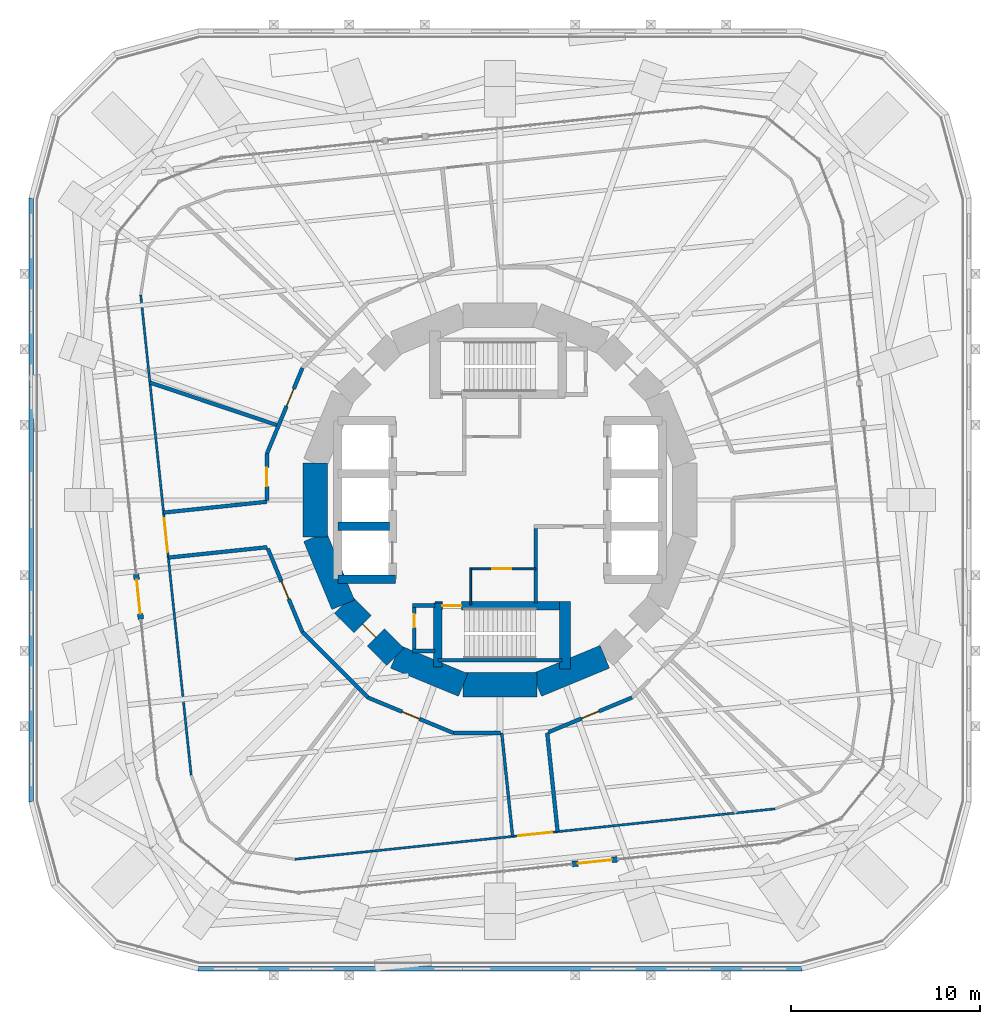
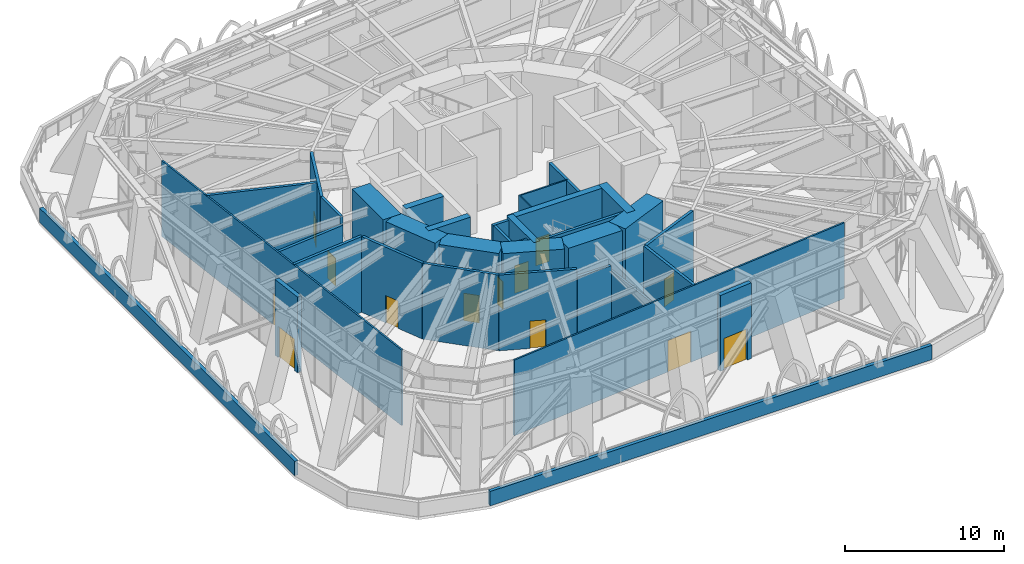
# One storey, part 15 of 20: 36 walls, 13 doors, 13 openings.
"""IFC4 building model written with IfcOpenShell, lengths in metres."""

from ifc_helpers import new_model, si_unit, direction, frame, frame_2d, origin, place, context, subcontext, project, spatial, rectangle, extrude, material, layer, layer_set, type_object, element, fill, save


model = new_model("IFC4")

# Units and contexts
model_context = context("Model", 3, precision=1e-05, world=origin(), true_north=direction((0.0, 1.0)))
body_context = subcontext(model_context, "Body", "Model", "MODEL_VIEW")
ifc_project = project(units=[si_unit("LENGTHUNIT", "METRE"), si_unit("AREAUNIT", "SQUARE_METRE"), si_unit("VOLUMEUNIT", "CUBIC_METRE"), si_unit("PLANEANGLEUNIT", "RADIAN"), si_unit("MASSUNIT", "GRAM", prefix="KILO")], contexts=[model_context])

# Site, building, storey
site_placement = place(None, origin())
site = spatial("IfcSite", under=ifc_project, at=site_placement, CompositionType="ELEMENT")
building_placement = place(site_placement, origin())
building = spatial("IfcBuilding", under=site, at=building_placement, Name="Nakasero Lantern House", CompositionType="ELEMENT")
storey_placement = place(building_placement, frame((0.0, 0.0, 54.5)))
storey = spatial("IfcBuildingStorey", under=building, at=storey_placement, Name="L13", CompositionType="ELEMENT", Elevation=54.5)

# Walls
ifc_material_1 = material(Name="Concrete C50/60", Category="concrete")
ifc_layer_1 = layer(ifc_material_1, 0.449951171875)
ifc_layer_set_1 = layer_set([ifc_layer_1], Name="Core inner wall 450")
wall_type_1 = type_object("IfcWallType", Name="Core inner wall 450", PredefinedType="SHEAR", material=ifc_layer_set_1)
wall_1_placement = place(storey_placement, frame((-8.60009765625, -4.199951171875, 0.0), z_axis=(0.0, 0.0, 1.0), x_axis=(1.0, 0.0, 0.0)))
element("IfcWall", 1, at=wall_1_placement, inside=storey, type_object=wall_type_1, Name="Core inner wall L13 LWS", PredefinedType="SHEAR", context=body_context, shape_type="SweptSolid", body=[
    extrude(rectangle(XDim=3.050048828125, YDim=0.449951171875, at=frame_2d((1.52490234375, 0.0))), origin(), (0.0, 0.0, 1.0), 6.0),
])
wall_2_placement = place(storey_placement, frame((-8.60009765625, -1.39990234375, 0.0), z_axis=(0.0, 0.0, 1.0), x_axis=(1.0, 0.0, 0.0)))
element("IfcWall", 2, at=wall_2_placement, inside=storey, type_object=wall_type_1, Name="Core inner wall L13 LW1", PredefinedType="SHEAR", context=body_context, shape_type="SweptSolid", body=[
    extrude(rectangle(XDim=2.75, YDim=0.449951171875, at=frame_2d((1.375, 0.0))), origin(), (0.0, 0.0, 1.0), 6.0),
])

# Wall, opening, door
wall_3_placement = place(storey_placement, frame((-3.449951171875, -5.60009765625, 0.0), z_axis=(0.0, 0.0, 1.0), x_axis=(1.0, 0.0, 0.0)))
wall_3 = element("IfcWall", 3, at=wall_3_placement, inside=storey, type_object=wall_type_1, Name="Core inner wall L13 SS", PredefinedType="SHEAR", context=body_context, shape_type="SweptSolid", body=[
    extrude(rectangle(XDim=6.89990234375, YDim=0.449951171875, at=frame_2d((3.449951171875, 0.0))), origin(), (0.0, 0.0, 1.0), 6.0),
])
opening_1_placement = place(wall_3_placement, frame((0.39990234375, 0.0, 0.0)))
opening_1 = element("IfcOpeningElement", 4, at=opening_1_placement, cuts=wall_3, Name="Opening D05", PredefinedType="OPENING", context=body_context, shape_type="SweptSolid", body=[
    extrude(rectangle(XDim=1.0, YDim=2.10009765625, at=frame_2d((0.5, 1.050048828125))), frame((0.0, 0.244873046875, 0.0), z_axis=(0.0, -1.0, 0.0), x_axis=(1.0, 0.0, 0.0)), (0.0, 0.0, 1.0), 0.489990234375),
])
ifc_material_2 = material(Name="Timber C24", Category="wood")
door_type_1 = type_object("IfcDoorType", Name="Core door FD60S 1000", OperationType="SINGLE_SWING_LEFT", PredefinedType="DOOR", material=ifc_material_2)
door_1_placement = place(opening_1_placement, origin())
door_1 = element("IfcDoor", 5, at=door_1_placement, inside=storey, type_object=door_type_1, Name="Door L13 D-ST2", OperationType="SINGLE_SWING_LEFT", OverallHeight=2.10009765625, OverallWidth=1.0, PredefinedType="DOOR", context=body_context, shape_type="SweptSolid", body=[
    extrude(rectangle(XDim=1.0, YDim=2.10009765625, at=frame_2d((0.5, 1.050048828125))), frame((0.0, 0.02490234375, 0.0), z_axis=(0.0, -1.0, 0.0), x_axis=(1.0, 0.0, 0.0)), (0.0, 0.0, 1.0), 0.050048828125),
])
fill(opening_1, door_1)

# Walls
wall_4_placement = place(storey_placement, frame((-3.300048828125, -5.449951171875, 0.0), z_axis=(0.0, 0.0, 1.0), x_axis=(0.0, -1.0, 0.0)))
element("IfcWall", 6, at=wall_4_placement, inside=storey, type_object=wall_type_1, Name="Core inner wall L13 SSW", PredefinedType="SHEAR", context=body_context, shape_type="SweptSolid", body=[
    extrude(rectangle(XDim=3.400146484375, YDim=0.449951171875, at=frame_2d((1.7001953125, 0.0))), origin(), (0.0, 0.0, 1.0), 6.0),
])
ifc_material_3 = material(Name="Concrete C50/60", Category="concrete")
ifc_layer_2 = layer(ifc_material_3, 0.60009765625)
ifc_layer_set_2 = layer_set([ifc_layer_2], Name="Core inner wall 600")
wall_type_2 = type_object("IfcWallType", Name="Core inner wall 600", PredefinedType="SHEAR", material=ifc_layer_set_2)
wall_5_placement = place(storey_placement, frame((3.449951171875, -5.375, 0.0), z_axis=(0.0, 0.0, 1.0), x_axis=(0.0, -1.0, 0.0)))
element("IfcWall", 7, at=wall_5_placement, inside=storey, type_object=wall_type_2, Name="Core inner wall L13 SSE", PredefinedType="SHEAR", context=body_context, shape_type="SweptSolid", body=[
    extrude(rectangle(XDim=3.574951171875, YDim=0.60009765625, at=frame_2d((1.78759765625, 0.0))), origin(), (0.0, 0.0, 1.0), 6.0),
])

# Wall, opening, door
ifc_material_4 = material(Name="Blockwork", Category="masonry")
ifc_layer_3 = layer(ifc_material_4, 0.10009765625)
ifc_layer_set_3 = layer_set([ifc_layer_3], Name="Core room wall 100")
wall_type_3 = type_object("IfcWallType", Name="Core room wall 100", PredefinedType="PARTITIONING", material=ifc_layer_set_3)
wall_6_placement = place(storey_placement, frame((-1.60009765625, -3.64990234375, 0.0), z_axis=(0.0, 0.0, 1.0), x_axis=(1.0, 0.0, 0.0)))
wall_6 = element("IfcWall", 8, at=wall_6_placement, inside=storey, type_object=wall_type_3, Name="Core room wall L13 CR-SWN", PredefinedType="PARTITIONING", context=body_context, shape_type="SweptSolid", body=[
    extrude(rectangle(XDim=3.5, YDim=0.10009765625, at=frame_2d((1.75, 0.0))), origin(), (0.0, 0.0, 1.0), 5.800048828125),
])
opening_2_placement = place(wall_6_placement, frame((1.199951171875, 0.0, 0.0)))
opening_2 = element("IfcOpeningElement", 9, at=opening_2_placement, cuts=wall_6, Name="Opening D07", PredefinedType="OPENING", context=body_context, shape_type="SweptSolid", body=[
    extrude(rectangle(XDim=1.0, YDim=2.10009765625, at=frame_2d((0.5, 1.050048828125))), frame((0.0, 0.070068359375, 0.0), z_axis=(0.0, -1.0, 0.0), x_axis=(1.0, 0.0, 0.0)), (0.0, 0.0, 1.0), 0.14013671875),
])
ifc_material_5 = material(Name="Timber C24", Category="wood")
door_type_2 = type_object("IfcDoorType", Name="Room door FD30S 1000", OperationType="SINGLE_SWING_LEFT", PredefinedType="DOOR", material=ifc_material_5)
door_2_placement = place(opening_2_placement, origin())
door_2 = element("IfcDoor", 10, at=door_2_placement, inside=storey, type_object=door_type_2, Name="Door L13 D-CR-SW", OperationType="SINGLE_SWING_LEFT", OverallHeight=2.10009765625, OverallWidth=1.0, PredefinedType="DOOR", context=body_context, shape_type="SweptSolid", body=[
    extrude(rectangle(XDim=1.0, YDim=2.10009765625, at=frame_2d((0.5, 1.050048828125))), frame((0.0, 0.02490234375, 0.0), z_axis=(0.0, -1.0, 0.0), x_axis=(1.0, 0.0, 0.0)), (0.0, 0.0, 1.0), 0.050048828125),
])
fill(opening_2, door_2)

# Walls
wall_7_placement = place(storey_placement, frame((-1.550048828125, -5.550048828125, 0.0), z_axis=(0.0, 0.0, 1.0), x_axis=(0.0, 1.0, 0.0)))
element("IfcWall", 11, at=wall_7_placement, inside=storey, type_object=wall_type_3, Name="Core room wall L13 CR-SWW", PredefinedType="PARTITIONING", context=body_context, shape_type="SweptSolid", body=[
    extrude(rectangle(XDim=1.949951171875, YDim=0.10009765625, at=frame_2d((0.97509765625, 0.0))), origin(), (0.0, 0.0, 1.0), 5.800048828125),
])
ifc_material_6 = material(Name="Concrete C50/60", Category="concrete")
ifc_layer_4 = layer(ifc_material_6, 1.300048828125)
ifc_layer_set_4 = layer_set([ifc_layer_4], Name="Core wall 1300")
wall_type_4 = type_object("IfcWallType", Name="Core wall 1300", PredefinedType="SHEAR", material=ifc_layer_set_4)
for number, where, z_axis, x_axis, name in (
    (12, (-9.807861328125, 1.950927734375, 0.0), (0.0, 0.0, 1.0), (0.0, -1.0, 0.0), "Core wall L13 facet 8"),
    (13, (-9.807861328125, -1.950927734375, 0.0), (0.0, 0.0, 1.0), (0.382690736062, -0.923876507187, 0.0), "Core wall L13 facet 9"),
):
    element("IfcWall", number, at=place(storey_placement, frame(where, z_axis=z_axis, x_axis=x_axis)), inside=storey, type_object=wall_type_4, Name=name, PredefinedType="SHEAR", context=body_context, shape_type="SweptSolid", body=[
        extrude(rectangle(XDim=3.90185546875, YDim=1.300048828125, at=frame_2d((1.950927734375, 0.0))), origin(), (0.0, 0.0, 1.0), 6.0),
    ])

# Wall, opening, door
wall_8_placement = place(storey_placement, frame((-8.314697265625, -5.5556640625, 0.0), z_axis=(0.0, 0.0, 1.0), x_axis=(0.707106781187, -0.707106781187, 0.0)))
wall_8 = element("IfcWall", 14, at=wall_8_placement, inside=storey, type_object=wall_type_4, Name="Core wall L13 facet 10", PredefinedType="SHEAR", context=body_context, shape_type="SweptSolid", body=[
    extrude(rectangle(XDim=3.90185546875, YDim=1.300048828125, at=frame_2d((1.950927734375, 0.0))), origin(), (0.0, 0.0, 1.0), 6.0),
])
opening_3_placement = place(wall_8_placement, frame((1.450927734375, 0.0, 0.0)))
opening_3 = element("IfcOpeningElement", 15, at=opening_3_placement, cuts=wall_8, Name="Opening D05", PredefinedType="OPENING", context=body_context, shape_type="SweptSolid", body=[
    extrude(rectangle(XDim=1.0, YDim=2.10009765625, at=frame_2d((0.5, 1.050048828125))), frame((0.0, 0.669921875, 0.0), z_axis=(0.0, -1.0, 0.0), x_axis=(1.0, 0.0, 0.0)), (0.0, 0.0, 1.0), 1.340087890625),
])
door_3_placement = place(opening_3_placement, origin())
door_3 = element("IfcDoor", 16, at=door_3_placement, inside=storey, type_object=door_type_1, Name="Door L13 D-CORE10", OperationType="SINGLE_SWING_LEFT", OverallHeight=2.10009765625, OverallWidth=1.0, PredefinedType="DOOR", context=body_context, shape_type="SweptSolid", body=[
    extrude(rectangle(XDim=1.0, YDim=2.10009765625, at=frame_2d((0.5, 1.050048828125))), frame((0.0, 0.02490234375, 0.0), z_axis=(0.0, -1.0, 0.0), x_axis=(1.0, 0.0, 0.0)), (0.0, 0.0, 1.0), 0.050048828125),
])
fill(opening_3, door_3)

# Walls
for number, where, z_axis, x_axis, name in (
    (17, (-5.5556640625, -8.314697265625, 0.0), (0.0, 0.0, 1.0), (0.923876507187, -0.382690736062, 0.0), "Core wall L13 facet 11"),
    (18, (-1.950927734375, -9.807861328125, 0.0), (0.0, 0.0, 1.0), (1.0, 0.0, 0.0), "Core wall L13 facet 12"),
    (19, (1.950927734375, -9.807861328125, 0.0), (0.0, 0.0, 1.0), (0.923876507187, 0.382690736062, 0.0), "Core wall L13 facet 13"),
):
    element("IfcWall", number, at=place(storey_placement, frame(where, z_axis=z_axis, x_axis=x_axis)), inside=storey, type_object=wall_type_4, Name=name, PredefinedType="SHEAR", context=body_context, shape_type="SweptSolid", body=[
        extrude(rectangle(XDim=3.90185546875, YDim=1.300048828125, at=frame_2d((1.950927734375, 0.0))), origin(), (0.0, 0.0, 1.0), 6.0),
    ])

# Wall, opening, door
ifc_material_7 = material(Name="Blockwork", Category="masonry")
ifc_layer_5 = layer(ifc_material_7, 0.199951171875)
ifc_layer_set_5 = layer_set([ifc_layer_5], Name="Corridor wall 200")
wall_type_5 = type_object("IfcWallType", Name="Corridor wall 200", PredefinedType="PARTITIONING", material=ifc_layer_set_5)
wall_9_placement = place(storey_placement, frame((7.000244140625, -10.4765625, 0.0), z_axis=(0.0, 0.0, 1.0), x_axis=(-0.923893813783, -0.382648952505, 0.0)))
wall_9 = element("IfcWall", 20, at=wall_9_placement, inside=storey, type_object=wall_type_5, Name="Corridor wall L13 TC03", PredefinedType="PARTITIONING", context=body_context, shape_type="SweptSolid", body=[
    extrude(rectangle(XDim=4.7890625, YDim=0.199951171875, at=frame_2d((2.39453125, 0.0))), origin(), (0.0, 0.0, 1.0), 5.800048828125),
])
opening_4_placement = place(wall_9_placement, frame((1.89453125, 0.0, 0.0)))
opening_4 = element("IfcOpeningElement", 21, at=opening_4_placement, cuts=wall_9, Name="Opening D13", PredefinedType="OPENING", context=body_context, shape_type="SweptSolid", body=[
    extrude(rectangle(XDim=1.0, YDim=2.10009765625, at=frame_2d((0.5, 1.050048828125))), frame((0.0, 0.119873046875, 0.0), z_axis=(0.0, -1.0, 0.0), x_axis=(1.0, 0.0, 0.0)), (0.0, 0.0, 1.0), 0.239990234375),
])
ifc_material_8 = material(Name="Steel S355", Category="steel")
door_type_3 = type_object("IfcDoorType", Name="Plant room door FD60 1000", OperationType="SINGLE_SWING_LEFT", PredefinedType="DOOR", material=ifc_material_8)
door_4_placement = place(opening_4_placement, origin())
door_4 = element("IfcDoor", 22, at=door_4_placement, inside=storey, type_object=door_type_3, Name="Door L13 TDR30", OperationType="SINGLE_SWING_LEFT", OverallHeight=2.10009765625, OverallWidth=1.0, PredefinedType="DOOR", context=body_context, shape_type="SweptSolid", body=[
    extrude(rectangle(XDim=1.0, YDim=2.10009765625, at=frame_2d((0.5, 1.050048828125))), frame((0.0, 0.02490234375, 0.0), z_axis=(0.0, -1.0, 0.0), x_axis=(1.0, 0.0, 0.0)), (0.0, 0.0, 1.0), 0.050048828125),
])
fill(opening_4, door_4)

# Wall
wall_10_placement = place(storey_placement, frame((0.016845703125, -12.35791015625, 0.0), z_axis=(0.0, 0.0, 1.0), x_axis=(-1.0, 0.0, 0.0)))
element("IfcWall", 23, at=wall_10_placement, inside=storey, type_object=wall_type_5, Name="Corridor wall L13 TC04", PredefinedType="PARTITIONING", context=body_context, shape_type="SweptSolid", body=[
    extrude(rectangle(XDim=2.474853515625, YDim=0.199951171875, at=frame_2d((1.2373046875, 0.0))), origin(), (0.0, 0.0, 1.0), 5.187744140625),
])

# Wall, opening, door
wall_11_placement = place(storey_placement, frame((-2.4580078125, -12.35791015625, 0.0), z_axis=(0.0, 0.0, 1.0), x_axis=(-0.923887315722, 0.382664641492, 0.0)))
wall_11 = element("IfcWall", 24, at=wall_11_placement, inside=storey, type_object=wall_type_5, Name="Corridor wall L13 TC05", PredefinedType="PARTITIONING", context=body_context, shape_type="SweptSolid", body=[
    extrude(rectangle(XDim=4.91650390625, YDim=0.199951171875, at=frame_2d((2.458251953125, 0.0))), origin(), (0.0, 0.0, 1.0), 5.800048828125),
])
opening_5_placement = place(wall_11_placement, frame((1.958251953125, 0.0, 0.0)))
opening_5 = element("IfcOpeningElement", 25, at=opening_5_placement, cuts=wall_11, Name="Opening D07", PredefinedType="OPENING", context=body_context, shape_type="SweptSolid", body=[
    extrude(rectangle(XDim=1.0, YDim=2.10009765625, at=frame_2d((0.5, 1.050048828125))), frame((0.0, 0.119873046875, 0.0), z_axis=(0.0, -1.0, 0.0), x_axis=(1.0, 0.0, 0.0)), (0.0, 0.0, 1.0), 0.239990234375),
])
door_5_placement = place(opening_5_placement, origin())
door_5 = element("IfcDoor", 26, at=door_5_placement, inside=storey, type_object=door_type_2, Name="Door L13 TDR21", OperationType="SINGLE_SWING_RIGHT", OverallHeight=2.10009765625, OverallWidth=1.0, PredefinedType="DOOR", context=body_context, shape_type="SweptSolid", body=[
    extrude(rectangle(XDim=1.0, YDim=2.10009765625, at=frame_2d((0.5, 1.050048828125))), frame((0.0, 0.02490234375, 0.0), z_axis=(0.0, -1.0, 0.0), x_axis=(1.0, 0.0, 0.0)), (0.0, 0.0, 1.0), 0.050048828125),
])
fill(opening_5, door_5)

# Wall
wall_12_placement = place(storey_placement, frame((-7.000244140625, -10.4765625, 0.0), z_axis=(0.0, 0.0, 1.0), x_axis=(-0.707106781187, 0.707106781187, 0.0)))
element("IfcWall", 27, at=wall_12_placement, inside=storey, type_object=wall_type_5, Name="Corridor wall L13 TC06", PredefinedType="PARTITIONING", context=body_context, shape_type="SweptSolid", body=[
    extrude(rectangle(XDim=4.916259765625, YDim=0.199951171875, at=frame_2d((2.4580078125, 0.0))), origin(), (0.0, 0.0, 1.0), 5.800048828125),
])

# Wall, opening, door
wall_13_placement = place(storey_placement, frame((-10.4765625, -7.000244140625, 0.0), z_axis=(0.0, 0.0, 1.0), x_axis=(-0.382648952505, 0.923893813783, 0.0)))
wall_13 = element("IfcWall", 28, at=wall_13_placement, inside=storey, type_object=wall_type_5, Name="Corridor wall L13 TC07", PredefinedType="PARTITIONING", context=body_context, shape_type="SweptSolid", body=[
    extrude(rectangle(XDim=4.7890625, YDim=0.199951171875, at=frame_2d((2.39453125, 0.0))), origin(), (0.0, 0.0, 1.0), 5.800048828125),
])
opening_6_placement = place(wall_13_placement, frame((1.89453125, 0.0, 0.0)))
opening_6 = element("IfcOpeningElement", 29, at=opening_6_placement, cuts=wall_13, Name="Opening D13", PredefinedType="OPENING", context=body_context, shape_type="SweptSolid", body=[
    extrude(rectangle(XDim=1.0, YDim=2.10009765625, at=frame_2d((0.5, 1.050048828125))), frame((0.0, 0.119873046875, 0.0), z_axis=(0.0, -1.0, 0.0), x_axis=(1.0, 0.0, 0.0)), (0.0, 0.0, 1.0), 0.239990234375),
])
door_6_placement = place(opening_6_placement, origin())
door_6 = element("IfcDoor", 30, at=door_6_placement, inside=storey, type_object=door_type_3, Name="Door L13 TDR20", OperationType="SINGLE_SWING_LEFT", OverallHeight=2.10009765625, OverallWidth=1.0, PredefinedType="DOOR", context=body_context, shape_type="SweptSolid", body=[
    extrude(rectangle(XDim=1.0, YDim=2.10009765625, at=frame_2d((0.5, 1.050048828125))), frame((0.0, 0.02490234375, 0.0), z_axis=(0.0, -1.0, 0.0), x_axis=(1.0, 0.0, 0.0)), (0.0, 0.0, 1.0), 0.050048828125),
])
fill(opening_6, door_6)

wall_14_placement = place(storey_placement, frame((-12.35791015625, -0.016845703125, 0.0), z_axis=(0.0, 0.0, 1.0), x_axis=(0.0, 1.0, 0.0)))
wall_14 = element("IfcWall", 31, at=wall_14_placement, inside=storey, type_object=wall_type_5, Name="Corridor wall L13 TC08", PredefinedType="PARTITIONING", context=body_context, shape_type="SweptSolid", body=[
    extrude(rectangle(XDim=2.474853515625, YDim=0.199951171875, at=frame_2d((1.2373046875, 0.0))), origin(), (0.0, 0.0, 1.0), 5.800048828125),
])
opening_7_placement = place(wall_14_placement, frame((0.737548828125, 0.0, 0.0)))
opening_7 = element("IfcOpeningElement", 32, at=opening_7_placement, cuts=wall_14, Name="Opening D13", PredefinedType="OPENING", context=body_context, shape_type="SweptSolid", body=[
    extrude(rectangle(XDim=1.0, YDim=2.10009765625, at=frame_2d((0.5, 1.050048828125))), frame((0.0, 0.119873046875, 0.0), z_axis=(0.0, -1.0, 0.0), x_axis=(1.0, 0.0, 0.0)), (0.0, 0.0, 1.0), 0.239990234375),
])
door_7_placement = place(opening_7_placement, origin())
door_7 = element("IfcDoor", 33, at=door_7_placement, inside=storey, type_object=door_type_3, Name="Door L13 TDR12", OperationType="SINGLE_SWING_RIGHT", OverallHeight=2.10009765625, OverallWidth=1.0, PredefinedType="DOOR", context=body_context, shape_type="SweptSolid", body=[
    extrude(rectangle(XDim=1.0, YDim=2.10009765625, at=frame_2d((0.5, 1.050048828125))), frame((0.0, 0.02490234375, 0.0), z_axis=(0.0, -1.0, 0.0), x_axis=(1.0, 0.0, 0.0)), (0.0, 0.0, 1.0), 0.050048828125),
])
fill(opening_7, door_7)

wall_15_placement = place(storey_placement, frame((-12.35791015625, 2.4580078125, 0.0), z_axis=(0.0, 0.0, 1.0), x_axis=(0.382664641492, 0.923887315722, 0.0)))
wall_15 = element("IfcWall", 34, at=wall_15_placement, inside=storey, type_object=wall_type_5, Name="Corridor wall L13 TC09", PredefinedType="PARTITIONING", context=body_context, shape_type="SweptSolid", body=[
    extrude(rectangle(XDim=4.91650390625, YDim=0.199951171875, at=frame_2d((2.458251953125, 0.0))), origin(), (0.0, 0.0, 1.0), 5.800048828125),
])
opening_8_placement = place(wall_15_placement, frame((2.72265625, 0.0, 0.0)))
opening_8 = element("IfcOpeningElement", 35, at=opening_8_placement, cuts=wall_15, Name="Opening D13", PredefinedType="OPENING", context=body_context, shape_type="SweptSolid", body=[
    extrude(rectangle(XDim=1.0, YDim=2.10009765625, at=frame_2d((0.5, 1.050048828125))), frame((0.0, 0.119873046875, 0.0), z_axis=(0.0, -1.0, 0.0), x_axis=(1.0, 0.0, 0.0)), (0.0, 0.0, 1.0), 0.239990234375),
])
door_8_placement = place(opening_8_placement, origin())
door_8 = element("IfcDoor", 36, at=door_8_placement, inside=storey, type_object=door_type_3, Name="Door L13 TDR11", OperationType="SINGLE_SWING_RIGHT", OverallHeight=2.10009765625, OverallWidth=1.0, PredefinedType="DOOR", context=body_context, shape_type="SweptSolid", body=[
    extrude(rectangle(XDim=1.0, YDim=2.10009765625, at=frame_2d((0.5, 1.050048828125))), frame((0.0, 0.02490234375, 0.0), z_axis=(0.0, -1.0, 0.0), x_axis=(1.0, 0.0, 0.0)), (0.0, 0.0, 1.0), 0.050048828125),
])
fill(opening_8, door_8)

ifc_material_9 = material(Name="Concrete C40/50", Category="concrete")
ifc_layer_6 = layer(ifc_material_9, 0.300048828125)
ifc_layer_set_6 = layer_set([ifc_layer_6], Name="Entrance portal wall 300")
wall_type_6 = type_object("IfcWallType", Name="Entrance portal wall 300", PredefinedType="SOLIDWALL", material=ifc_layer_set_6)
wall_16_placement = place(storey_placement, frame((-19.29296875, -3.938232421875, 0.0), z_axis=(0.0, 0.0, 1.0), x_axis=(0.104467683877, -0.994528281662, 0.0)))
wall_16 = element("IfcWall", 37, at=wall_16_placement, inside=storey, type_object=wall_type_6, Name="Sky lounge door wall L13 2", PredefinedType="SOLIDWALL", context=body_context, shape_type="SweptSolid", body=[
    extrude(rectangle(XDim=2.400146484375, YDim=0.300048828125, at=frame_2d((1.2001953125, 0.0))), origin(), (0.0, 0.0, 1.0), 5.800048828125),
])
opening_9_placement = place(wall_16_placement, frame((0.300048828125, 0.0, 0.0)))
opening_9 = element("IfcOpeningElement", 38, at=opening_9_placement, cuts=wall_16, Name="Opening D10", PredefinedType="OPENING", context=body_context, shape_type="SweptSolid", body=[
    extrude(rectangle(XDim=1.800048828125, YDim=2.39990234375, at=frame_2d((0.89990234375, 1.199951171875))), frame((0.0, 0.169921875, 0.0), z_axis=(0.0, -1.0, 0.0), x_axis=(1.0, 0.0, 0.0)), (0.0, 0.0, 1.0), 0.340087890625),
])
ifc_material_10 = material(Name="Aluminium 6063-T6 and glass", Category="aluminium")
door_type_4 = type_object("IfcDoorType", Name="Sky garden doors 1800x2400", OperationType="DOUBLE_DOOR_SINGLE_SWING", PredefinedType="DOOR", material=ifc_material_10)
door_9_placement = place(opening_9_placement, origin())
door_9 = element("IfcDoor", 39, at=door_9_placement, inside=storey, type_object=door_type_4, Name="Sky garden door L13 2", OperationType="DOUBLE_DOOR_SINGLE_SWING", OverallHeight=2.39990234375, OverallWidth=1.800048828125, PredefinedType="DOOR", context=body_context, shape_type="SweptSolid", body=[
    extrude(rectangle(XDim=1.800048828125, YDim=2.39990234375, at=frame_2d((0.89990234375, 1.199951171875))), frame((0.0, 0.02490234375, 0.0), z_axis=(0.0, -1.0, 0.0), x_axis=(1.0, 0.0, 0.0)), (0.0, 0.0, 1.0), 0.050048828125),
])
fill(opening_9, door_9)

wall_17_placement = place(storey_placement, frame((3.8388671875, -19.303466796875, 0.0), z_axis=(0.0, 0.0, 1.0), x_axis=(0.994527171359, 0.104478253374, 0.0)))
wall_17 = element("IfcWall", 40, at=wall_17_placement, inside=storey, type_object=wall_type_6, Name="Sky lounge door wall L13 3", PredefinedType="SOLIDWALL", context=body_context, shape_type="SweptSolid", body=[
    extrude(rectangle(XDim=2.39990234375, YDim=0.300048828125, at=frame_2d((1.199951171875, 0.0))), origin(), (0.0, 0.0, 1.0), 5.800048828125),
])
opening_10_placement = place(wall_17_placement, frame((0.300048828125, 0.0, 0.0)))
opening_10 = element("IfcOpeningElement", 41, at=opening_10_placement, cuts=wall_17, Name="Opening D10", PredefinedType="OPENING", context=body_context, shape_type="SweptSolid", body=[
    extrude(rectangle(XDim=1.800048828125, YDim=2.39990234375, at=frame_2d((0.89990234375, 1.199951171875))), frame((0.0, 0.169921875, 0.0), z_axis=(0.0, -1.0, 0.0), x_axis=(1.0, 0.0, 0.0)), (0.0, 0.0, 1.0), 0.340087890625),
])
door_10_placement = place(opening_10_placement, origin())
door_10 = element("IfcDoor", 42, at=door_10_placement, inside=storey, type_object=door_type_4, Name="Sky garden door L13 3", OperationType="DOUBLE_DOOR_SINGLE_SWING", OverallHeight=2.39990234375, OverallWidth=1.800048828125, PredefinedType="DOOR", context=body_context, shape_type="SweptSolid", body=[
    extrude(rectangle(XDim=1.800048828125, YDim=2.39990234375, at=frame_2d((0.89990234375, 1.199951171875))), frame((0.0, 0.02490234375, 0.0), z_axis=(0.0, -1.0, 0.0), x_axis=(1.0, 0.0, 0.0)), (0.0, 0.0, 1.0), 0.050048828125),
])
fill(opening_10, door_10)

# Wall
ifc_material_11 = material(Name="Blockwork", Category="masonry")
ifc_layer_7 = layer(ifc_material_11, 0.199951171875)
ifc_layer_set_7 = layer_set([ifc_layer_7], Name="Fire lobby wall 200")
wall_type_7 = type_object("IfcWallType", Name="Fire lobby wall 200", PredefinedType="PARTITIONING", material=ifc_layer_set_7)
wall_18_placement = place(storey_placement, frame((1.89990234375, -1.5, 0.0), z_axis=(0.0, 0.0, 1.0), x_axis=(0.0, -1.0, 0.0)))
element("IfcWall", 43, at=wall_18_placement, inside=storey, type_object=wall_type_7, Name="Fire lobby wall L13 W-FL2W", PredefinedType="PARTITIONING", context=body_context, shape_type="SweptSolid", body=[
    extrude(rectangle(XDim=3.949951171875, YDim=0.199951171875, at=frame_2d((1.97509765625, 0.0))), origin(), (0.0, 0.0, 1.0), 5.800048828125),
])

# Wall, opening, door
wall_19_placement = place(storey_placement, frame((-4.550048828125, -5.60009765625, 0.0), z_axis=(0.0, 0.0, 1.0), x_axis=(0.0, -1.0, 0.0)))
wall_19 = element("IfcWall", 44, at=wall_19_placement, inside=storey, type_object=wall_type_7, Name="Fire lobby wall L13 W-RS2W", PredefinedType="PARTITIONING", context=body_context, shape_type="SweptSolid", body=[
    extrude(rectangle(XDim=2.39990234375, YDim=0.199951171875, at=frame_2d((1.199951171875, 0.0))), origin(), (0.0, 0.0, 1.0), 5.800048828125),
])
opening_11_placement = place(wall_19_placement, frame((0.449951171875, 0.0, 0.0)))
opening_11 = element("IfcOpeningElement", 45, at=opening_11_placement, cuts=wall_19, Name="Opening D06", PredefinedType="OPENING", context=body_context, shape_type="SweptSolid", body=[
    extrude(rectangle(XDim=0.699951171875, YDim=2.10009765625, at=frame_2d((0.35009765625, 1.050048828125))), frame((0.0, 0.119873046875, 0.0), z_axis=(0.0, -1.0, 0.0), x_axis=(1.0, 0.0, 0.0)), (0.0, 0.0, 1.0), 0.239990234375),
])
ifc_material_12 = material(Name="Steel S355", Category="steel")
door_type_5 = type_object("IfcDoorType", Name="Riser door FD60 700", OperationType="SINGLE_SWING_LEFT", PredefinedType="DOOR", material=ifc_material_12)
door_11_placement = place(opening_11_placement, origin())
door_11 = element("IfcDoor", 46, at=door_11_placement, inside=storey, type_object=door_type_5, Name="Door L13 D-RS2", OperationType="SINGLE_SWING_LEFT", OverallHeight=2.10009765625, OverallWidth=0.699951171875, PredefinedType="DOOR", context=body_context, shape_type="SweptSolid", body=[
    extrude(rectangle(XDim=0.699951171875, YDim=2.10009765625, at=frame_2d((0.35009765625, 1.050048828125))), frame((0.0, 0.02490234375, 0.0), z_axis=(0.0, -1.0, 0.0), x_axis=(1.0, 0.0, 0.0)), (0.0, 0.0, 1.0), 0.050048828125),
])
fill(opening_11, door_11)

# Walls
for number, where, z_axis, x_axis, name in (
    (47, (-3.449951171875, -8.0, 0.0), (0.0, 0.0, 1.0), (-1.0, 0.0, 0.0), "Fire lobby wall L13 W-RS2S"),
    (48, (-3.449951171875, -5.60009765625, 0.0), (0.0, 0.0, 1.0), (-1.0, 0.0, 0.0), "Fire lobby wall L13 W-RS2N"),
):
    element("IfcWall", number, at=place(storey_placement, frame(where, z_axis=z_axis, x_axis=x_axis)), inside=storey, type_object=wall_type_7, Name=name, PredefinedType="PARTITIONING", context=body_context, shape_type="SweptSolid", body=[
        extrude(rectangle(XDim=1.199951171875, YDim=0.199951171875, at=frame_2d((0.60009765625, 0.0))), origin(), (0.0, 0.0, 1.0), 5.800048828125),
    ])
wall_20_placement = place(storey_placement, frame((-3.300048828125, -8.5, 0.0), z_axis=(0.0, 0.0, 1.0), x_axis=(1.0, 0.0, 0.0)))
element("IfcWall", 49, at=wall_20_placement, inside=storey, type_object=wall_type_7, Name="Fire lobby wall L13 W-STS", PredefinedType="PARTITIONING", context=body_context, shape_type="SweptSolid", body=[
    extrude(rectangle(XDim=6.60009765625, YDim=0.199951171875, at=frame_2d((3.300048828125, 0.0))), origin(), (0.0, 0.0, 1.0), 5.800048828125),
])
wall_21_placement = place(storey_placement, frame((-11.743896484375, 3.940185546875, 0.0), z_axis=(0.0, 0.0, 1.0), x_axis=(-0.94804991641, 0.318121605671, 0.0)))
element("IfcWall", 50, at=wall_21_placement, inside=storey, type_object=wall_type_7, Name="Fire lobby wall L13 TD11", PredefinedType="PARTITIONING", context=body_context, shape_type="SweptSolid", body=[
    extrude(rectangle(XDim=7.19091796875, YDim=0.199951171875, at=frame_2d((3.595458984375, 0.0))), origin(), (0.0, 0.0, 1.0), 5.800048828125),
])
wall_22_placement = place(storey_placement, frame((-12.339111328125, -2.50341796875, 0.0), z_axis=(0.0, 0.0, 1.0), x_axis=(-0.994520403965, -0.10454265205, 0.0)))
element("IfcWall", 51, at=wall_22_placement, inside=storey, type_object=wall_type_7, Name="Fire lobby wall L13 TP2L", PredefinedType="PARTITIONING", context=body_context, shape_type="SweptSolid", body=[
    extrude(rectangle(XDim=5.275390625, YDim=0.199951171875, at=frame_2d((2.6376953125, 0.0))), origin(), (0.0, 0.0, 1.0), 5.800048828125),
])
wall_23_placement = place(storey_placement, frame((-12.35791015625, -0.09228515625, 0.0), z_axis=(0.0, 0.0, 1.0), x_axis=(-0.994520255807, -0.10454406147, 0.0)))
element("IfcWall", 52, at=wall_23_placement, inside=storey, type_object=wall_type_7, Name="Fire lobby wall L13 TP2R", PredefinedType="PARTITIONING", context=body_context, shape_type="SweptSolid", body=[
    extrude(rectangle(XDim=5.509033203125, YDim=0.199951171875, at=frame_2d((2.75439453125, 0.0))), origin(), (0.0, 0.0, 1.0), 5.187744140625),
])
wall_24_placement = place(storey_placement, frame((2.50341796875, -12.339111328125, 0.0), z_axis=(0.0, 0.0, 1.0), x_axis=(0.10454265205, -0.994520403965, 0.0)))
element("IfcWall", 53, at=wall_24_placement, inside=storey, type_object=wall_type_7, Name="Fire lobby wall L13 TP3L", PredefinedType="PARTITIONING", context=body_context, shape_type="SweptSolid", body=[
    extrude(rectangle(XDim=5.275390625, YDim=0.199951171875, at=frame_2d((2.6376953125, 0.0))), origin(), (0.0, 0.0, 1.0), 5.800048828125),
])

# Wall, opening, door
ifc_material_13 = material(Name="Aluminium 6063-T6 and glass", Category="aluminium")
ifc_layer_8 = layer(ifc_material_13, 0.1201171875)
ifc_layer_set_8 = layer_set([ifc_layer_8], Name="Glazed screen 120")
wall_type_8 = type_object("IfcWallType", Name="Glazed screen 120", PredefinedType="PARTITIONING", material=ifc_layer_set_8)
wall_25_placement = place(storey_placement, frame((-19.049072265625, 10.868408203125, 0.0), z_axis=(0.0, 0.0, 1.0), x_axis=(0.104522945535, -0.99452247529, 0.0)))
wall_25 = element("IfcWall", 54, at=wall_25_placement, inside=storey, type_object=wall_type_8, Name="Glazed screen L13 WG2S", PredefinedType="PARTITIONING", context=body_context, shape_type="SweptSolid", body=[
    extrude(rectangle(XDim=25.599853515625, YDim=0.1201171875, at=frame_2d((12.7998046875, 0.0))), origin(), (0.0, 0.0, 1.0), 5.800048828125),
])
opening_12_placement = place(wall_25_placement, frame((11.89990234375, 0.0, 0.0)))
opening_12 = element("IfcOpeningElement", 55, at=opening_12_placement, cuts=wall_25, Name="Opening D18", PredefinedType="OPENING", context=body_context, shape_type="SweptSolid", body=[
    extrude(rectangle(XDim=1.800048828125, YDim=2.39990234375, at=frame_2d((0.89990234375, 1.199951171875))), frame((0.0, 0.080078125, 0.0), z_axis=(0.0, -1.0, 0.0), x_axis=(1.0, 0.0, 0.0)), (0.0, 0.0, 1.0), 0.16015625),
])
ifc_material_14 = material(Name="Aluminium 6063-T6 and glass", Category="aluminium")
door_type_6 = type_object("IfcDoorType", Name="Glazed screen door 1800", OperationType="DOUBLE_DOOR_SINGLE_SWING", PredefinedType="DOOR", material=ifc_material_14)
door_12_placement = place(opening_12_placement, origin())
door_12 = element("IfcDoor", 56, at=door_12_placement, inside=storey, type_object=door_type_6, Name="Door L13 DW2", OperationType="DOUBLE_DOOR_SINGLE_SWING", OverallHeight=2.39990234375, OverallWidth=1.800048828125, PredefinedType="DOOR", context=body_context, shape_type="SweptSolid", body=[
    extrude(rectangle(XDim=1.800048828125, YDim=2.39990234375, at=frame_2d((0.89990234375, 1.199951171875))), frame((0.0, 0.02490234375, 0.0), z_axis=(0.0, -1.0, 0.0), x_axis=(1.0, 0.0, 0.0)), (0.0, 0.0, 1.0), 0.050048828125),
])
fill(opening_12, door_12)

wall_26_placement = place(storey_placement, frame((-10.868408203125, -19.049072265625, 0.0), z_axis=(0.0, 0.0, 1.0), x_axis=(0.99452247529, 0.104522945535, 0.0)))
wall_26 = element("IfcWall", 57, at=wall_26_placement, inside=storey, type_object=wall_type_8, Name="Glazed screen L13 WG3S", PredefinedType="PARTITIONING", context=body_context, shape_type="SweptSolid", body=[
    extrude(rectangle(XDim=25.599853515625, YDim=0.1201171875, at=frame_2d((12.7998046875, 0.0))), origin(), (0.0, 0.0, 1.0), 5.800048828125),
])
opening_13_placement = place(wall_26_placement, frame((11.89990234375, 0.0, 0.0)))
opening_13 = element("IfcOpeningElement", 58, at=opening_13_placement, cuts=wall_26, Name="Opening D18", PredefinedType="OPENING", context=body_context, shape_type="SweptSolid", body=[
    extrude(rectangle(XDim=1.800048828125, YDim=2.39990234375, at=frame_2d((0.89990234375, 1.199951171875))), frame((0.0, 0.080078125, 0.0), z_axis=(0.0, -1.0, 0.0), x_axis=(1.0, 0.0, 0.0)), (0.0, 0.0, 1.0), 0.16015625),
])
door_13_placement = place(opening_13_placement, origin())
door_13 = element("IfcDoor", 59, at=door_13_placement, inside=storey, type_object=door_type_6, Name="Door L13 DW3", OperationType="DOUBLE_DOOR_SINGLE_SWING", OverallHeight=2.39990234375, OverallWidth=1.800048828125, PredefinedType="DOOR", context=body_context, shape_type="SweptSolid", body=[
    extrude(rectangle(XDim=1.800048828125, YDim=2.39990234375, at=frame_2d((0.89990234375, 1.199951171875))), frame((0.0, 0.02490234375, 0.0), z_axis=(0.0, -1.0, 0.0), x_axis=(1.0, 0.0, 0.0)), (0.0, 0.0, 1.0), 0.050048828125),
])
fill(opening_13, door_13)

# Walls
ifc_material_15 = material(Name="Concrete C35/45", Category="concrete")
ifc_layer_9 = layer(ifc_material_15, 0.25)
ifc_layer_set_9 = layer_set([ifc_layer_9], Name="Parapet 250")
wall_type_9 = type_object("IfcWallType", Name="Parapet 250", PredefinedType="SOLIDWALL", material=ifc_layer_set_9)
for number, where, z_axis, x_axis, name in (
    (60, (-24.85009765625, 16.0, 0.0), (0.0, 0.0, 1.0), (0.0, -1.0, 0.0), "Parapet L13 PP2S"),
    (61, (-16.0, -24.85009765625, 0.0), (0.0, 0.0, 1.0), (1.0, 0.0, 0.0), "Parapet L13 PP3S"),
):
    element("IfcWall", number, at=place(storey_placement, frame(where, z_axis=z_axis, x_axis=x_axis)), inside=storey, type_object=wall_type_9, Name=name, PredefinedType="SOLIDWALL", context=body_context, shape_type="SweptSolid", body=[
        extrude(rectangle(XDim=32.0, YDim=0.25, at=frame_2d((16.0, 0.0))), origin(), (0.0, 0.0, 1.0), 1.10009765625),
    ])
ifc_material_16 = material(Name="Blockwork", Category="masonry")
ifc_layer_10 = layer(ifc_material_16, 0.14990234375)
ifc_layer_set_10 = layer_set([ifc_layer_10], Name="Party wall 150")
wall_type_10 = type_object("IfcWallType", Name="Party wall 150", PredefinedType="PARTITIONING", material=ifc_layer_set_10)
wall_27_placement = place(storey_placement, frame((0.09228515625, -12.35791015625, 0.0), z_axis=(0.0, 0.0, 1.0), x_axis=(0.10454406147, -0.994520255807, 0.0)))
element("IfcWall", 62, at=wall_27_placement, inside=storey, type_object=wall_type_10, Name="Party wall L13 TP3R", PredefinedType="PARTITIONING", context=body_context, shape_type="SweptSolid", body=[
    extrude(rectangle(XDim=5.509033203125, YDim=0.14990234375, at=frame_2d((2.75439453125, 0.0))), origin(), (0.0, 0.0, 1.0), 4.77392578125),
])

save(model, "model.ifc")
